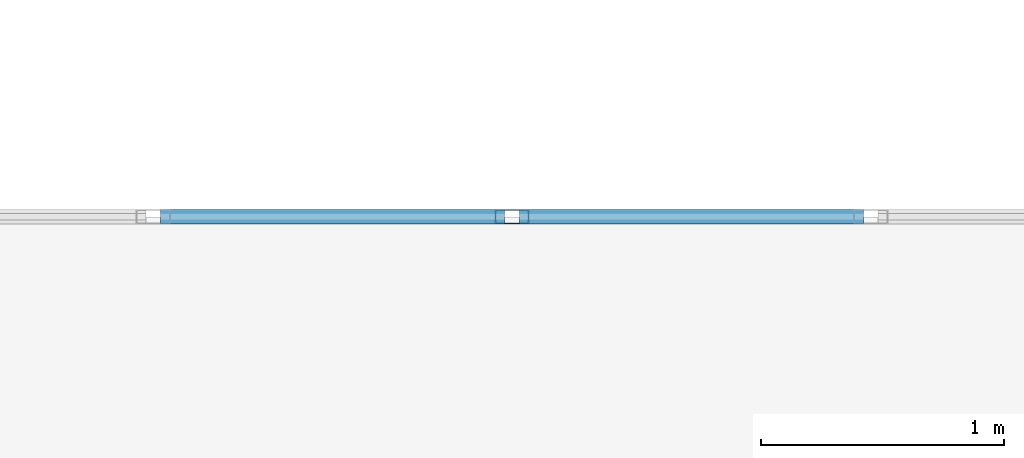
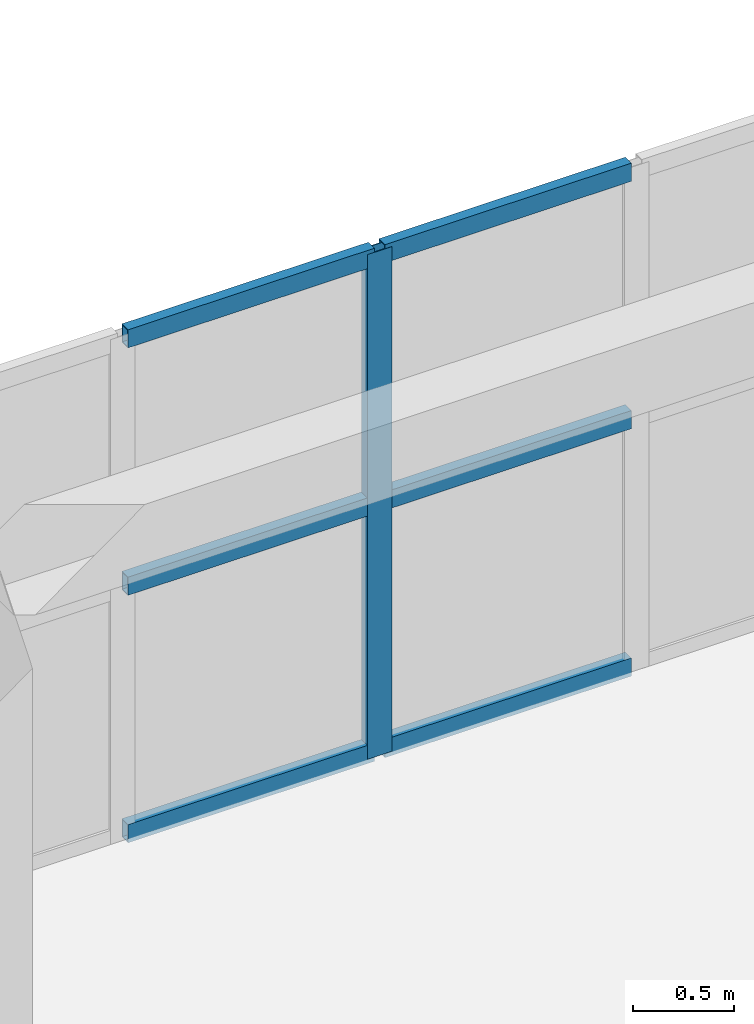
# One storey, part 80 of 148: 7 members, 1 element without a shape of its own.
"""IFC4 building model written with IfcOpenShell, lengths in metres."""

import ifcopenshell
import ifcopenshell.guid

model = None  # the IFC model being written
_history = None  # IfcOwnerHistory: only IFC2X3 demands one
_inside = {}  # id of a spatial element -> (the spatial element, [elements in it])
_under = {}  # id of a project, library or spatial element -> (it, [spatial elements below it])
_declared = {}  # id of a project -> (the project, [libraries it declares])
_typed = {}  # id of a type object -> (the type object, [elements of that type])
_made_of = {}  # id of a material, layer set ... -> (it, [elements and type objects made of it])


def new_model(schema):
    """Start an empty IFC model of exactly this schema.

    Asked for "IFC4X3", IfcOpenShell would pick the latest addendum, in which some entities
    have other attributes; the version numbers below select the first issue.
    IFC2X3 requires an IfcOwnerHistory on every rooted entity: one is made here for all.
    """
    global model, _history
    if schema == "IFC4X3":
        model = ifcopenshell.file(schema_version=(4, 3, 0, 0))
    else:
        model = ifcopenshell.file(schema=schema)
    _inside.clear()
    _under.clear()
    _declared.clear()
    _typed.clear()
    _made_of.clear()
    _history = None
    if model.schema == "IFC2X3":
        org = make("IfcOrganization", Name="unknown")
        user = make(
            "IfcPersonAndOrganization",
            ThePerson=make("IfcPerson", FamilyName="unknown"),
            TheOrganization=org,
        )
        app = make(
            "IfcApplication",
            ApplicationDeveloper=org,
            Version="unknown",
            ApplicationFullName="unknown",
            ApplicationIdentifier="unknown",
        )
        _history = make(
            "IfcOwnerHistory",
            OwningUser=user,
            OwningApplication=app,
            ChangeAction="ADDED",
            CreationDate=0,
        )
    return model


def make(cls, **values):
    """One entity of the class cls with the attributes given. An attribute that is None is left unset."""
    return model.create_entity(
        cls, **{name: value for name, value in values.items() if value is not None}
    )


def rooted(cls, **values):
    """An entity with a GlobalId (a new one), such as an element, a storey or a relation."""
    return make(cls, GlobalId=ifcopenshell.guid.new(), OwnerHistory=_history, **values)


def si_unit(unit_type, name, prefix=None):
    """IfcSIUnit, for example si_unit("LENGTHUNIT", "METRE", prefix="MILLI")."""
    return make("IfcSIUnit", UnitType=unit_type, Prefix=prefix, Name=name)


def assignment(units):
    """IfcUnitAssignment: the units of a project."""
    return None if units is None else make("IfcUnitAssignment", Units=units)


def point(xyz):
    """IfcCartesianPoint."""
    return None if xyz is None else make("IfcCartesianPoint", Coordinates=xyz)


def direction(xyz):
    """IfcDirection."""
    return None if xyz is None else make("IfcDirection", DirectionRatios=xyz)


def frame(location, z_axis=None, x_axis=None):
    """IfcAxis2Placement3D, a coordinate frame: its origin and axes. An axis left out is left unset."""
    return make(
        "IfcAxis2Placement3D",
        Location=point(location),
        Axis=direction(z_axis),
        RefDirection=direction(x_axis),
    )


def frame_2d(location, x_axis=None):
    """IfcAxis2Placement2D, a coordinate frame in the plane: its origin and x axis."""
    return make(
        "IfcAxis2Placement2D", Location=point(location), RefDirection=direction(x_axis)
    )


def origin():
    """The frame at (0, 0, 0) with its axes left unset."""
    return frame((0.0, 0.0, 0.0))


def origin_2d():
    """The frame at (0, 0) in the plane with its x axis left unset."""
    return frame_2d((0.0, 0.0))


def place(relative_to, where):
    """IfcLocalPlacement: puts the frame where relative to a parent placement (None: the world)."""
    return make(
        "IfcLocalPlacement", PlacementRelTo=relative_to, RelativePlacement=where
    )


def context(
    kind, dimensions, precision=None, world=None, true_north=None, identifier=None
):
    """IfcGeometricRepresentationContext, for example the 3D "Model" context."""
    return make(
        "IfcGeometricRepresentationContext",
        ContextIdentifier=identifier,
        ContextType=kind,
        CoordinateSpaceDimension=dimensions,
        Precision=precision,
        WorldCoordinateSystem=world,
        TrueNorth=true_north,
    )


def subcontext(parent, identifier, kind, view, scale=None):
    """IfcGeometricRepresentationSubContext, for example "Body" below "Model"."""
    return make(
        "IfcGeometricRepresentationSubContext",
        ContextIdentifier=identifier,
        ContextType=kind,
        ParentContext=parent,
        TargetScale=scale,
        TargetView=view,
    )


def project(units=None, contexts=None):
    """IfcProject with its units and contexts."""
    return rooted(
        "IfcProject",
        Name="project",
        RepresentationContexts=contexts,
        UnitsInContext=assignment(units),
    )


def spatial(cls, under=None, at=None, **own):
    """A site, building, storey or space (cls), placed at a placement, below another one or the project."""
    s = rooted(cls, ObjectPlacement=at, **own)
    if under is not None:
        _under.setdefault(under.id(), (under, []))[1].append(s)
    return s


def profile(cls, at=None, kind="AREA", **sizes):
    """A parametric profile (cls). Its sizes go by their IFC names, for example OverallWidth=200.0."""
    return make(cls, ProfileType=kind, Position=at, **sizes)


def hollow_rectangle(**sizes):
    """IfcRectangleHollowProfileDef."""
    return profile("IfcRectangleHollowProfileDef", **sizes)


def extrude(swept, where, along, depth):
    """IfcExtrudedAreaSolid: the profile swept, set in the frame where, extruded along a direction by depth."""
    return make(
        "IfcExtrudedAreaSolid",
        SweptArea=swept,
        Position=where,
        ExtrudedDirection=direction(along),
        Depth=depth,
    )


def shape(context_of_items, identifier, shape_type, items):
    """IfcShapeRepresentation: the items that make up one representation, for example the "Body"."""
    return make(
        "IfcShapeRepresentation",
        ContextOfItems=context_of_items,
        RepresentationIdentifier=identifier,
        RepresentationType=shape_type,
        Items=items,
    )


def material(Name=None, Category=None):
    """IfcMaterial."""
    return make("IfcMaterial", Name=Name, Category=Category)


def layer(
    of_material, thickness, ventilated=None, Name=None, Category=None, Priority=None
):
    """IfcMaterialLayer: one layer of a wall or slab, of a material (None: an air gap)."""
    return make(
        "IfcMaterialLayer",
        Material=of_material,
        LayerThickness=thickness,
        IsVentilated=ventilated,
        Name=Name,
        Category=Category,
        Priority=Priority,
    )


def layer_set(layers, Name=None):
    """IfcMaterialLayerSet."""
    return make("IfcMaterialLayerSet", MaterialLayers=layers, LayerSetName=Name)


def material_profile(
    of_material, cross_section, Name=None, Category=None, Priority=None
):
    """IfcMaterialProfile: a cross section and its material."""
    return make(
        "IfcMaterialProfile",
        Name=Name,
        Material=of_material,
        Profile=cross_section,
        Priority=Priority,
        Category=Category,
    )


def profile_set(profiles, Name=None, composite=None):
    """IfcMaterialProfileSet."""
    return make(
        "IfcMaterialProfileSet",
        Name=Name,
        MaterialProfiles=profiles,
        CompositeProfile=composite,
    )


def made_of(thing, what):
    """Note that an element or type object is made of a material, layer set ...; save() writes the relation."""
    if what is not None:
        _made_of.setdefault(what.id(), (what, []))[1].append(thing)
    return thing


def type_object(cls, material=None, **own):
    """A type object (cls), such as IfcWallType, which elements share."""
    return made_of(rooted(cls, **own), material)


def element(
    cls,
    number,
    at=None,
    inside=None,
    cuts=None,
    type_object=None,
    material=None,
    context=None,
    identifier="Body",
    shape_type=None,
    held_by="IfcProductDefinitionShape",
    body=None,
    shapes=None,
    **own,
):
    """One element of the class cls, such as IfcWall. Its Tag is "e" and its number.

    at: its placement. inside: the storey or other place that contains it. cuts: it is an
    opening in that element (IfcRelVoidsElement). A single representation is given by context,
    identifier, shape_type and body (its items); several are given by shapes. held_by: the class
    of the entity that holds the representations. save() writes the other relations.
    """
    e = rooted(cls, Tag="e%d" % number, ObjectPlacement=at, **own)
    if body is not None:
        shapes = [shape(context, identifier, shape_type, body)]
    if shapes is not None:
        e.Representation = make(held_by, Representations=shapes)
    if inside is not None:
        _inside.setdefault(inside.id(), (inside, []))[1].append(e)
    if cuts is not None:
        rooted(
            "IfcRelVoidsElement", RelatingBuildingElement=cuts, RelatedOpeningElement=e
        )
    if type_object is not None:
        _typed.setdefault(type_object.id(), (type_object, []))[1].append(e)
    return made_of(e, material)


def aggregate(whole, parts):
    """IfcRelAggregates: a whole, such as a stair, and the parts it consists of."""
    return rooted("IfcRelAggregates", RelatingObject=whole, RelatedObjects=parts)


def save(model, path):
    """Write the relations noted so far, then the file.

    IfcRelAggregates (storeys below a building ...), IfcRelContainedInSpatialStructure (elements
    in a storey), IfcRelDefinesByType, IfcRelAssociatesMaterial and IfcRelDeclares: one each for
    every whole, place, type object, material and project.
    """
    for whole, parts in _under.values():
        aggregate(whole, parts)
    for where, things in _inside.values():
        rooted(
            "IfcRelContainedInSpatialStructure",
            RelatedElements=things,
            RelatingStructure=where,
        )
    for kind, things in _typed.values():
        rooted("IfcRelDefinesByType", RelatedObjects=things, RelatingType=kind)
    for what, things in _made_of.values():
        rooted("IfcRelAssociatesMaterial", RelatedObjects=things, RelatingMaterial=what)
    for by, libraries in _declared.values():
        rooted("IfcRelDeclares", RelatingContext=by, RelatedDefinitions=libraries)
    model.write(path)


model = new_model("IFC4")

# Units and contexts
model_context = context("Model", 3, precision=1e-05, world=origin(), true_north=direction((0.0, 1.0)))
body_context = subcontext(model_context, "Body", "Model", "MODEL_VIEW")
ifc_project = project(units=[si_unit("LENGTHUNIT", "METRE"), si_unit("AREAUNIT", "SQUARE_METRE"), si_unit("VOLUMEUNIT", "CUBIC_METRE"), si_unit("PLANEANGLEUNIT", "RADIAN"), si_unit("MASSUNIT", "GRAM", prefix="KILO")], contexts=[model_context])

# Site, building, storey
site_placement = place(None, origin())
site = spatial("IfcSite", under=ifc_project, at=site_placement, CompositionType="ELEMENT")
building_placement = place(site_placement, origin())
building = spatial("IfcBuilding", under=site, at=building_placement, Name="Trelvath General Hospital", CompositionType="ELEMENT")
storey_placement = place(building_placement, frame((0.0, 0.0, 12.89990234375)))
storey = spatial("IfcBuildingStorey", under=building, at=storey_placement, Name="L03", CompositionType="ELEMENT", Elevation=12.89990234375)

# Curtain wall, members
ifc_material_1 = material(Name="Anodised aluminium and low-E glass", Category="aluminium")
ifc_layer = layer(ifc_material_1, 0.14990234375)
ifc_layer_set = layer_set([ifc_layer], Name="Anodised aluminium and low-E glass")
curtain_wall_type = type_object("IfcCurtainWallType", Name="CW CrystalCube 737 306 15", PredefinedType="USERDEFINED", material=ifc_layer_set)
curtain_wall_placement = place(storey_placement, origin())
curtain_wall = element("IfcCurtainWall", 1, at=curtain_wall_placement, inside=storey, type_object=curtain_wall_type, Name="Crystal Cube Curtain Wall CUBE-E-T1 N3 L03", ObjectType="Unitised Glazed Curtain Wall", PredefinedType="USERDEFINED")
ifc_material_2 = material(Name="Anodised aluminium", Category="aluminium")
ifc_material_profile_1 = material_profile(ifc_material_2, hollow_rectangle(XDim=0.06005859375, YDim=0.139892578125, WallThickness=0.00390625, at=origin_2d()), Name="RHS60x140x4")
ifc_profile_set_1 = profile_set([ifc_material_profile_1], Name="Anodised aluminium")
member_type_1 = type_object("IfcMemberType", Name="CurtainMullion 60x140", PredefinedType="MULLION", material=ifc_profile_set_1)
member_1_placement = place(storey_placement, frame((110.300048828125, 80.39990234375, 0.0), z_axis=(0.0, 0.0, 1.0), x_axis=(0.0, 1.0, 0.0)))
member_1 = element("IfcMember", 2, at=member_1_placement, type_object=member_type_1, Name="CW-249 mullion 3", PredefinedType="MULLION", context=body_context, shape_type="SweptSolid", body=[
    extrude(hollow_rectangle(XDim=0.06005859375, YDim=0.139892578125, WallThickness=0.00390625, at=origin_2d()), origin(), (0.0, 0.0, 1.0), 3.06005859375),
])
ifc_material_3 = material(Name="Anodised aluminium", Category="aluminium")
ifc_material_profile_2 = material_profile(ifc_material_3, hollow_rectangle(XDim=0.06005859375, YDim=0.110107421875, WallThickness=0.00390625, at=origin_2d()), Name="RHS60x110x4")
ifc_profile_set_2 = profile_set([ifc_material_profile_2], Name="Anodised aluminium")
member_type_2 = type_object("IfcMemberType", Name="CurtainTransom 60x110", PredefinedType="USERDEFINED", material=ifc_profile_set_2)
member_2_placement = place(storey_placement, frame((108.856689453125, 80.39990234375, 0.030029296875), z_axis=(1.0, 0.0, 0.0), x_axis=(0.0, 1.0, 0.0)))
member_2 = element("IfcMember", 3, at=member_2_placement, type_object=member_type_2, Name="CW-249 transom 2.1", ObjectType="TRANSOM", PredefinedType="USERDEFINED", context=body_context, shape_type="SweptSolid", body=[
    extrude(hollow_rectangle(XDim=0.06005859375, YDim=0.110107421875, WallThickness=0.00390625, at=origin_2d()), origin(), (0.0, 0.0, 1.0), 1.413330078125),
])
member_3_placement = place(storey_placement, frame((108.856689453125, 80.39990234375, 1.530029296875), z_axis=(1.0, 0.0, 0.0), x_axis=(0.0, 1.0, 0.0)))
member_3 = element("IfcMember", 4, at=member_3_placement, type_object=member_type_2, Name="CW-249 transom 2.2", ObjectType="TRANSOM", PredefinedType="USERDEFINED", context=body_context, shape_type="SweptSolid", body=[
    extrude(hollow_rectangle(XDim=0.06005859375, YDim=0.110107421875, WallThickness=0.00390625, at=origin_2d()), origin(), (0.0, 0.0, 1.0), 1.413330078125),
])
member_4_placement = place(storey_placement, frame((108.856689453125, 80.39990234375, 3.030029296875), z_axis=(1.0, 0.0, 0.0), x_axis=(0.0, 1.0, 0.0)))
member_4 = element("IfcMember", 5, at=member_4_placement, type_object=member_type_2, Name="CW-249 transom 2.3", ObjectType="TRANSOM", PredefinedType="USERDEFINED", context=body_context, shape_type="SweptSolid", body=[
    extrude(hollow_rectangle(XDim=0.06005859375, YDim=0.110107421875, WallThickness=0.00390625, at=origin_2d()), origin(), (0.0, 0.0, 1.0), 1.413330078125),
])
member_5_placement = place(storey_placement, frame((110.330078125, 80.39990234375, 0.030029296875), z_axis=(1.0, 0.0, 0.0), x_axis=(0.0, 1.0, 0.0)))
member_5 = element("IfcMember", 6, at=member_5_placement, type_object=member_type_2, Name="CW-249 transom 3.1", ObjectType="TRANSOM", PredefinedType="USERDEFINED", context=body_context, shape_type="SweptSolid", body=[
    extrude(hollow_rectangle(XDim=0.06005859375, YDim=0.110107421875, WallThickness=0.00390625, at=origin_2d()), origin(), (0.0, 0.0, 1.0), 1.413330078125),
])
member_6_placement = place(storey_placement, frame((110.330078125, 80.39990234375, 1.530029296875), z_axis=(1.0, 0.0, 0.0), x_axis=(0.0, 1.0, 0.0)))
member_6 = element("IfcMember", 7, at=member_6_placement, type_object=member_type_2, Name="CW-249 transom 3.2", ObjectType="TRANSOM", PredefinedType="USERDEFINED", context=body_context, shape_type="SweptSolid", body=[
    extrude(hollow_rectangle(XDim=0.06005859375, YDim=0.110107421875, WallThickness=0.00390625, at=origin_2d()), origin(), (0.0, 0.0, 1.0), 1.413330078125),
])
member_7_placement = place(storey_placement, frame((110.330078125, 80.39990234375, 3.030029296875), z_axis=(1.0, 0.0, 0.0), x_axis=(0.0, 1.0, 0.0)))
member_7 = element("IfcMember", 8, at=member_7_placement, type_object=member_type_2, Name="CW-249 transom 3.3", ObjectType="TRANSOM", PredefinedType="USERDEFINED", context=body_context, shape_type="SweptSolid", body=[
    extrude(hollow_rectangle(XDim=0.06005859375, YDim=0.110107421875, WallThickness=0.00390625, at=origin_2d()), origin(), (0.0, 0.0, 1.0), 1.413330078125),
])
aggregate(curtain_wall, [member_1, member_2, member_3, member_4, member_5, member_6, member_7])

save(model, "model.ifc")
